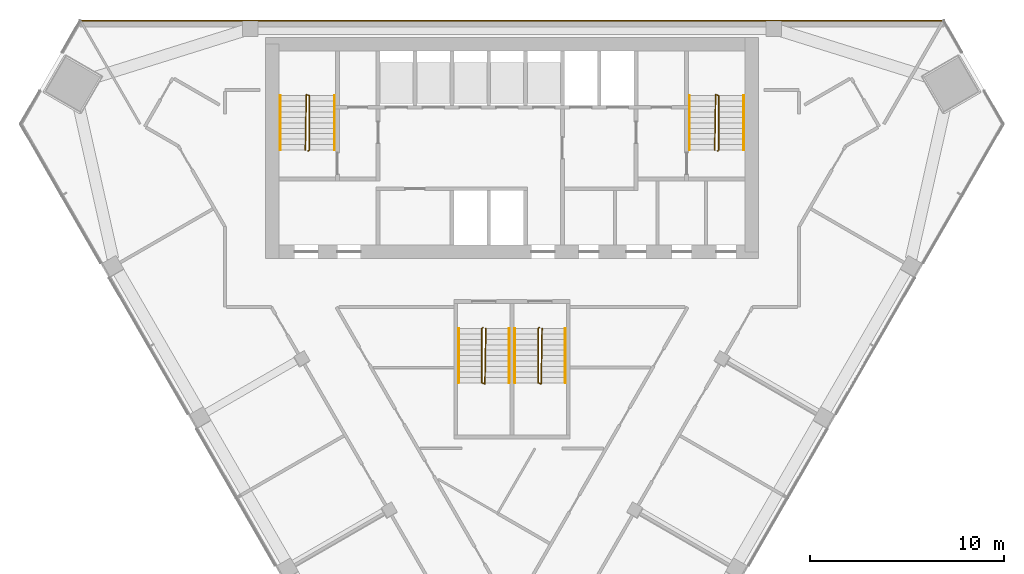
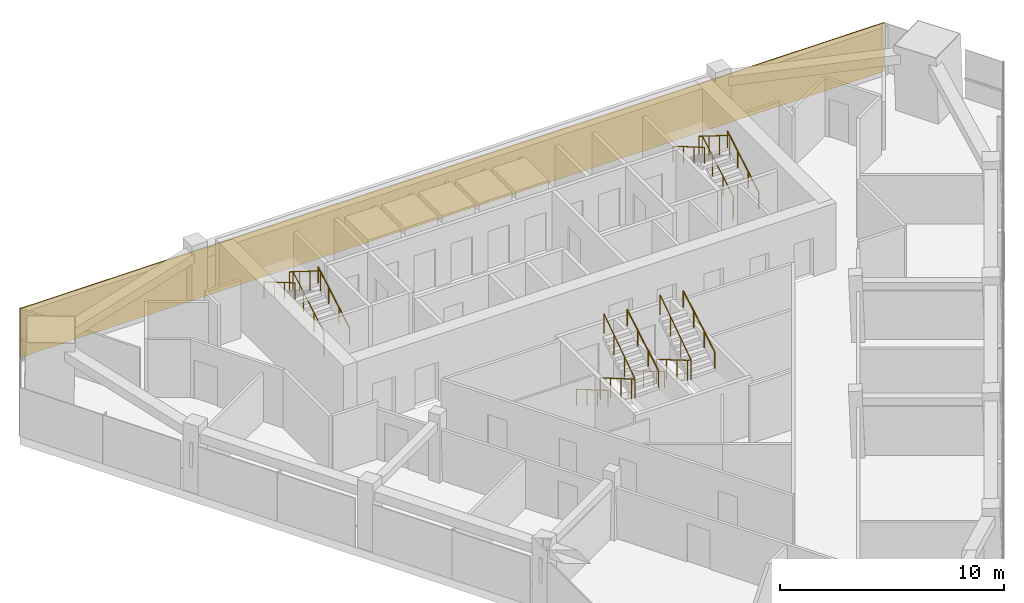
# One storey, part 11 of 12: 12 railings, 1 covering.
"""IFC4 building model written with IfcOpenShell, lengths in metres."""

import ifcopenshell
import ifcopenshell.guid

model = None  # the IFC model being written
_history = None  # IfcOwnerHistory: only IFC2X3 demands one
_inside = {}  # id of a spatial element -> (the spatial element, [elements in it])
_under = {}  # id of a project, library or spatial element -> (it, [spatial elements below it])
_declared = {}  # id of a project -> (the project, [libraries it declares])
_typed = {}  # id of a type object -> (the type object, [elements of that type])
_made_of = {}  # id of a material, layer set ... -> (it, [elements and type objects made of it])


def new_model(schema):
    """Start an empty IFC model of exactly this schema.

    Asked for "IFC4X3", IfcOpenShell would pick the latest addendum, in which some entities
    have other attributes; the version numbers below select the first issue.
    IFC2X3 requires an IfcOwnerHistory on every rooted entity: one is made here for all.
    """
    global model, _history
    if schema == "IFC4X3":
        model = ifcopenshell.file(schema_version=(4, 3, 0, 0))
    else:
        model = ifcopenshell.file(schema=schema)
    _inside.clear()
    _under.clear()
    _declared.clear()
    _typed.clear()
    _made_of.clear()
    _history = None
    if model.schema == "IFC2X3":
        org = make("IfcOrganization", Name="unknown")
        user = make(
            "IfcPersonAndOrganization",
            ThePerson=make("IfcPerson", FamilyName="unknown"),
            TheOrganization=org,
        )
        app = make(
            "IfcApplication",
            ApplicationDeveloper=org,
            Version="unknown",
            ApplicationFullName="unknown",
            ApplicationIdentifier="unknown",
        )
        _history = make(
            "IfcOwnerHistory",
            OwningUser=user,
            OwningApplication=app,
            ChangeAction="ADDED",
            CreationDate=0,
        )
    return model


def make(cls, **values):
    """One entity of the class cls with the attributes given. An attribute that is None is left unset."""
    return model.create_entity(
        cls, **{name: value for name, value in values.items() if value is not None}
    )


def rooted(cls, **values):
    """An entity with a GlobalId (a new one), such as an element, a storey or a relation."""
    return make(cls, GlobalId=ifcopenshell.guid.new(), OwnerHistory=_history, **values)


def si_unit(unit_type, name, prefix=None):
    """IfcSIUnit, for example si_unit("LENGTHUNIT", "METRE", prefix="MILLI")."""
    return make("IfcSIUnit", UnitType=unit_type, Prefix=prefix, Name=name)


def assignment(units):
    """IfcUnitAssignment: the units of a project."""
    return None if units is None else make("IfcUnitAssignment", Units=units)


def point(xyz):
    """IfcCartesianPoint."""
    return None if xyz is None else make("IfcCartesianPoint", Coordinates=xyz)


def direction(xyz):
    """IfcDirection."""
    return None if xyz is None else make("IfcDirection", DirectionRatios=xyz)


def frame(location, z_axis=None, x_axis=None):
    """IfcAxis2Placement3D, a coordinate frame: its origin and axes. An axis left out is left unset."""
    return make(
        "IfcAxis2Placement3D",
        Location=point(location),
        Axis=direction(z_axis),
        RefDirection=direction(x_axis),
    )


def frame_2d(location, x_axis=None):
    """IfcAxis2Placement2D, a coordinate frame in the plane: its origin and x axis."""
    return make(
        "IfcAxis2Placement2D", Location=point(location), RefDirection=direction(x_axis)
    )


def origin():
    """The frame at (0, 0, 0) with its axes left unset."""
    return frame((0.0, 0.0, 0.0))


def origin_2d():
    """The frame at (0, 0) in the plane with its x axis left unset."""
    return frame_2d((0.0, 0.0))


def place(relative_to, where):
    """IfcLocalPlacement: puts the frame where relative to a parent placement (None: the world)."""
    return make(
        "IfcLocalPlacement", PlacementRelTo=relative_to, RelativePlacement=where
    )


def context(
    kind, dimensions, precision=None, world=None, true_north=None, identifier=None
):
    """IfcGeometricRepresentationContext, for example the 3D "Model" context."""
    return make(
        "IfcGeometricRepresentationContext",
        ContextIdentifier=identifier,
        ContextType=kind,
        CoordinateSpaceDimension=dimensions,
        Precision=precision,
        WorldCoordinateSystem=world,
        TrueNorth=true_north,
    )


def subcontext(parent, identifier, kind, view, scale=None):
    """IfcGeometricRepresentationSubContext, for example "Body" below "Model"."""
    return make(
        "IfcGeometricRepresentationSubContext",
        ContextIdentifier=identifier,
        ContextType=kind,
        ParentContext=parent,
        TargetScale=scale,
        TargetView=view,
    )


def project(units=None, contexts=None):
    """IfcProject with its units and contexts."""
    return rooted(
        "IfcProject",
        Name="project",
        RepresentationContexts=contexts,
        UnitsInContext=assignment(units),
    )


def spatial(cls, under=None, at=None, **own):
    """A site, building, storey or space (cls), placed at a placement, below another one or the project."""
    s = rooted(cls, ObjectPlacement=at, **own)
    if under is not None:
        _under.setdefault(under.id(), (under, []))[1].append(s)
    return s


def profile(cls, at=None, kind="AREA", **sizes):
    """A parametric profile (cls). Its sizes go by their IFC names, for example OverallWidth=200.0."""
    return make(cls, ProfileType=kind, Position=at, **sizes)


def rectangle(**sizes):
    """IfcRectangleProfileDef."""
    return profile("IfcRectangleProfileDef", **sizes)


def circle(**sizes):
    """IfcCircleProfileDef."""
    return profile("IfcCircleProfileDef", **sizes)


def extrude(swept, where, along, depth):
    """IfcExtrudedAreaSolid: the profile swept, set in the frame where, extruded along a direction by depth."""
    return make(
        "IfcExtrudedAreaSolid",
        SweptArea=swept,
        Position=where,
        ExtrudedDirection=direction(along),
        Depth=depth,
    )


def shape(context_of_items, identifier, shape_type, items):
    """IfcShapeRepresentation: the items that make up one representation, for example the "Body"."""
    return make(
        "IfcShapeRepresentation",
        ContextOfItems=context_of_items,
        RepresentationIdentifier=identifier,
        RepresentationType=shape_type,
        Items=items,
    )


def material(Name=None, Category=None):
    """IfcMaterial."""
    return make("IfcMaterial", Name=Name, Category=Category)


def layer(
    of_material, thickness, ventilated=None, Name=None, Category=None, Priority=None
):
    """IfcMaterialLayer: one layer of a wall or slab, of a material (None: an air gap)."""
    return make(
        "IfcMaterialLayer",
        Material=of_material,
        LayerThickness=thickness,
        IsVentilated=ventilated,
        Name=Name,
        Category=Category,
        Priority=Priority,
    )


def layer_set(layers, Name=None):
    """IfcMaterialLayerSet."""
    return make("IfcMaterialLayerSet", MaterialLayers=layers, LayerSetName=Name)


def made_of(thing, what):
    """Note that an element or type object is made of a material, layer set ...; save() writes the relation."""
    if what is not None:
        _made_of.setdefault(what.id(), (what, []))[1].append(thing)
    return thing


def type_object(cls, material=None, **own):
    """A type object (cls), such as IfcWallType, which elements share."""
    return made_of(rooted(cls, **own), material)


def element(
    cls,
    number,
    at=None,
    inside=None,
    cuts=None,
    type_object=None,
    material=None,
    context=None,
    identifier="Body",
    shape_type=None,
    held_by="IfcProductDefinitionShape",
    body=None,
    shapes=None,
    **own,
):
    """One element of the class cls, such as IfcWall. Its Tag is "e" and its number.

    at: its placement. inside: the storey or other place that contains it. cuts: it is an
    opening in that element (IfcRelVoidsElement). A single representation is given by context,
    identifier, shape_type and body (its items); several are given by shapes. held_by: the class
    of the entity that holds the representations. save() writes the other relations.
    """
    e = rooted(cls, Tag="e%d" % number, ObjectPlacement=at, **own)
    if body is not None:
        shapes = [shape(context, identifier, shape_type, body)]
    if shapes is not None:
        e.Representation = make(held_by, Representations=shapes)
    if inside is not None:
        _inside.setdefault(inside.id(), (inside, []))[1].append(e)
    if cuts is not None:
        rooted(
            "IfcRelVoidsElement", RelatingBuildingElement=cuts, RelatedOpeningElement=e
        )
    if type_object is not None:
        _typed.setdefault(type_object.id(), (type_object, []))[1].append(e)
    return made_of(e, material)


def aggregate(whole, parts):
    """IfcRelAggregates: a whole, such as a stair, and the parts it consists of."""
    return rooted("IfcRelAggregates", RelatingObject=whole, RelatedObjects=parts)


def save(model, path):
    """Write the relations noted so far, then the file.

    IfcRelAggregates (storeys below a building ...), IfcRelContainedInSpatialStructure (elements
    in a storey), IfcRelDefinesByType, IfcRelAssociatesMaterial and IfcRelDeclares: one each for
    every whole, place, type object, material and project.
    """
    for whole, parts in _under.values():
        aggregate(whole, parts)
    for where, things in _inside.values():
        rooted(
            "IfcRelContainedInSpatialStructure",
            RelatedElements=things,
            RelatingStructure=where,
        )
    for kind, things in _typed.values():
        rooted("IfcRelDefinesByType", RelatedObjects=things, RelatingType=kind)
    for what, things in _made_of.values():
        rooted("IfcRelAssociatesMaterial", RelatedObjects=things, RelatingMaterial=what)
    for by, libraries in _declared.values():
        rooted("IfcRelDeclares", RelatingContext=by, RelatedDefinitions=libraries)
    model.write(path)


model = new_model("IFC4")

# Units and contexts
model_context = context("Model", 3, precision=1e-05, world=origin(), true_north=direction((0.0, 1.0)))
body_context = subcontext(model_context, "Body", "Model", "MODEL_VIEW")
ifc_project = project(units=[si_unit("LENGTHUNIT", "METRE"), si_unit("AREAUNIT", "SQUARE_METRE"), si_unit("VOLUMEUNIT", "CUBIC_METRE"), si_unit("PLANEANGLEUNIT", "RADIAN"), si_unit("MASSUNIT", "GRAM", prefix="KILO")], contexts=[model_context])

# Site, building, storey
site_placement = place(None, origin())
site = spatial("IfcSite", under=ifc_project, at=site_placement, CompositionType="ELEMENT")
building_placement = place(site_placement, origin())
building = spatial("IfcBuilding", under=site, at=building_placement, Name="Altiplano Prism Tower", CompositionType="ELEMENT")
storey_placement = place(building_placement, frame((0.0, 0.0, 205.199951171875)))
storey = spatial("IfcBuildingStorey", under=building, at=storey_placement, Name="L53", CompositionType="ELEMENT", Elevation=205.199951171875)

# Railings
ifc_material_1 = material(Name="Steel S355", Category="steel")
railing_type_1 = type_object("IfcRailingType", Name="Stair guard 1100", PredefinedType="GUARDRAIL", material=ifc_material_1)
railing_1_placement = place(storey_placement, frame((74.5, 98.25, 0.0)))
element("IfcRailing", 1, at=railing_1_placement, inside=storey, type_object=railing_type_1, Name="L53 ST1 stair guard 1", PredefinedType="GUARDRAIL", context=body_context, shape_type="SweptSolid", body=[
    extrude(circle(Radius=0.02392578125, at=origin_2d()), frame((0.0, 0.0, 1.076171875), z_axis=(0.280808744504, 0.280808744504, 0.917765164963), x_axis=(-0.707106781187, 0.707106781187, 0.0)), (0.0, 0.0, 1.0), 0.17822265625),
    extrude(circle(Radius=0.02392578125, at=origin_2d()), frame((0.050048828125, 0.050048828125, 1.23974609375), z_axis=(0.0, 0.863360870873, 0.504586966384), x_axis=(-1.0, 0.0, 0.0)), (0.0, 0.0, 1.0), 3.2431640625),
    extrude(circle(Radius=0.02392578125, at=origin_2d()), frame((0.050048828125, 2.85009765625, 2.8759765625), z_axis=(-0.949145278916, 0.314838433982, 0.0), x_axis=(-0.314838433982, -0.949145278916, 0.0)), (0.0, 0.0, 1.0), 0.158203125),
    extrude(circle(Radius=0.02392578125, at=origin_2d()), frame((-0.10009765625, 2.89990234375, 2.8759765625), z_axis=(-0.01477401265, -0.845377694409, 0.533964682676), x_axis=(0.999847325713, -0.01747355902, 0.0)), (0.0, 0.0, 1.0), 3.37109375),
    extrude(circle(Radius=0.02099609375, at=origin_2d()), origin(), (0.0, 0.0, 1.0), 1.052001953125),
    extrude(circle(Radius=0.02099609375, at=origin_2d()), frame((0.050048828125, 0.050048828125, 0.16357421875)), (0.0, 0.0, 1.0), 1.052001953125),
    extrude(circle(Radius=0.02099609375, at=origin_2d()), frame((0.050048828125, 0.9833984375, 0.708984375)), (0.0, 0.0, 1.0), 1.052001953125),
    extrude(circle(Radius=0.02099609375, at=origin_2d()), frame((0.050048828125, 1.916748046875, 1.254638671875)), (0.0, 0.0, 1.0), 1.052001953125),
    extrude(circle(Radius=0.02099609375, at=origin_2d()), frame((0.050048828125, 2.85009765625, 1.800048828125)), (0.0, 0.0, 1.0), 1.052001953125),
    extrude(circle(Radius=0.02099609375, at=origin_2d()), frame((-0.10009765625, 2.89990234375, 1.800048828125)), (0.0, 0.0, 1.0), 1.052001953125),
    extrude(circle(Radius=0.02099609375, at=origin_2d()), frame((-0.11669921875, 1.949951171875, 2.400146484375)), (0.0, 0.0, 1.0), 1.052001953125),
    extrude(circle(Radius=0.02099609375, at=origin_2d()), frame((-0.13330078125, 1.0, 3.0)), (0.0, 0.0, 1.0), 1.052001953125),
    extrude(circle(Radius=0.02099609375, at=origin_2d()), frame((-0.14990234375, 0.050048828125, 3.60009765625)), (0.0, 0.0, 1.0), 1.052001953125),
])
railing_2_placement = place(storey_placement, frame((95.60009765625, 98.25, 0.0)))
element("IfcRailing", 2, at=railing_2_placement, inside=storey, type_object=railing_type_1, Name="L53 ST2 stair guard 1", PredefinedType="GUARDRAIL", context=body_context, shape_type="SweptSolid", body=[
    extrude(circle(Radius=0.02392578125, at=origin_2d()), frame((0.0, 0.0, 1.076171875), z_axis=(0.279546231943, 0.280916556609, 0.91811752648), x_axis=(-0.708833529934, 0.705375805398, 0.0)), (0.0, 0.0, 1.0), 0.17822265625),
    extrude(circle(Radius=0.02392578125, at=origin_2d()), frame((0.0498046875, 0.050048828125, 1.23974609375), z_axis=(0.0, 0.863360870873, 0.504586966384), x_axis=(-1.0, 0.0, 0.0)), (0.0, 0.0, 1.0), 3.2431640625),
    extrude(circle(Radius=0.02392578125, at=origin_2d()), frame((0.0498046875, 2.85009765625, 2.8759765625), z_axis=(-0.948991962702, 0.315300261223, 0.0), x_axis=(-0.315300261223, -0.948991962702, 0.0)), (0.0, 0.0, 1.0), 0.157958984375),
    extrude(circle(Radius=0.02392578125, at=origin_2d()), frame((-0.10009765625, 2.89990234375, 2.8759765625), z_axis=(-0.014846418356, -0.845376787675, 0.533964109957), x_axis=(0.999845825584, -0.017559187376, 0.0)), (0.0, 0.0, 1.0), 3.37109375),
    extrude(circle(Radius=0.02099609375, at=origin_2d()), origin(), (0.0, 0.0, 1.0), 1.052001953125),
    extrude(circle(Radius=0.02099609375, at=origin_2d()), frame((0.0498046875, 0.050048828125, 0.16357421875)), (0.0, 0.0, 1.0), 1.052001953125),
    extrude(circle(Radius=0.02099609375, at=origin_2d()), frame((0.0498046875, 0.9833984375, 0.708984375)), (0.0, 0.0, 1.0), 1.052001953125),
    extrude(circle(Radius=0.02099609375, at=origin_2d()), frame((0.0498046875, 1.916748046875, 1.254638671875)), (0.0, 0.0, 1.0), 1.052001953125),
    extrude(circle(Radius=0.02099609375, at=origin_2d()), frame((0.0498046875, 2.85009765625, 1.800048828125)), (0.0, 0.0, 1.0), 1.052001953125),
    extrude(circle(Radius=0.02099609375, at=origin_2d()), frame((-0.10009765625, 2.89990234375, 1.800048828125)), (0.0, 0.0, 1.0), 1.052001953125),
    extrude(circle(Radius=0.02099609375, at=origin_2d()), frame((-0.11669921875, 1.949951171875, 2.400146484375)), (0.0, 0.0, 1.0), 1.052001953125),
    extrude(circle(Radius=0.02099609375, at=origin_2d()), frame((-0.133544921875, 1.0, 3.0)), (0.0, 0.0, 1.0), 1.052001953125),
    extrude(circle(Radius=0.02099609375, at=origin_2d()), frame((-0.150146484375, 0.050048828125, 3.60009765625)), (0.0, 0.0, 1.0), 1.052001953125),
])
railing_3_placement = place(storey_placement, frame((83.5, 89.14990234375, 0.0)))
element("IfcRailing", 3, at=railing_3_placement, inside=storey, type_object=railing_type_1, Name="L53 ST3A stair guard 1", PredefinedType="GUARDRAIL", context=body_context, shape_type="SweptSolid", body=[
    extrude(circle(Radius=0.02392578125, at=origin_2d()), frame((0.0, 0.0, 1.076171875), z_axis=(-0.280916556609, -0.279546231943, 0.91811752648), x_axis=(0.705375805398, -0.708833529934, 0.0)), (0.0, 0.0, 1.0), 0.17822265625),
    extrude(circle(Radius=0.02392578125, at=origin_2d()), frame((-0.050048828125, -0.0498046875, 1.23974609375), z_axis=(0.0, -0.863360870873, 0.504586966384), x_axis=(1.0, 0.0, 0.0)), (0.0, 0.0, 1.0), 3.2431640625),
    extrude(circle(Radius=0.02392578125, at=origin_2d()), frame((-0.050048828125, -2.849853515625, 2.8759765625), z_axis=(0.948683298051, -0.316227766017, 0.0), x_axis=(0.316227766017, 0.948683298051, 0.0)), (0.0, 0.0, 1.0), 0.158203125),
    extrude(circle(Radius=0.02392578125, at=origin_2d()), frame((0.10009765625, -2.89990234375, 2.8759765625), z_axis=(0.014773108175, 0.84539835705, 0.533931993021), x_axis=(-0.999847351862, 0.017472062685, 0.0)), (0.0, 0.0, 1.0), 3.371337890625),
    extrude(circle(Radius=0.02099609375, at=origin_2d()), origin(), (0.0, 0.0, 1.0), 1.052001953125),
    extrude(circle(Radius=0.02099609375, at=origin_2d()), frame((-0.050048828125, -0.0498046875, 0.16357421875)), (0.0, 0.0, 1.0), 1.052001953125),
    extrude(circle(Radius=0.02099609375, at=origin_2d()), frame((-0.050048828125, -0.983154296875, 0.708984375)), (0.0, 0.0, 1.0), 1.052001953125),
    extrude(circle(Radius=0.02099609375, at=origin_2d()), frame((-0.050048828125, -1.91650390625, 1.254638671875)), (0.0, 0.0, 1.0), 1.052001953125),
    extrude(circle(Radius=0.02099609375, at=origin_2d()), frame((-0.050048828125, -2.849853515625, 1.800048828125)), (0.0, 0.0, 1.0), 1.052001953125),
    extrude(circle(Radius=0.02099609375, at=origin_2d()), frame((0.10009765625, -2.89990234375, 1.800048828125)), (0.0, 0.0, 1.0), 1.052001953125),
    extrude(circle(Radius=0.02099609375, at=origin_2d()), frame((0.11669921875, -1.949951171875, 2.400146484375)), (0.0, 0.0, 1.0), 1.052001953125),
    extrude(circle(Radius=0.02099609375, at=origin_2d()), frame((0.13330078125, -0.999755859375, 3.0)), (0.0, 0.0, 1.0), 1.052001953125),
    extrude(circle(Radius=0.02099609375, at=origin_2d()), frame((0.14990234375, -0.0498046875, 3.60009765625)), (0.0, 0.0, 1.0), 1.052001953125),
])
railing_4_placement = place(storey_placement, frame((86.39990234375, 89.14990234375, 0.0)))
element("IfcRailing", 4, at=railing_4_placement, inside=storey, type_object=railing_type_1, Name="L53 ST3B stair guard 1", PredefinedType="GUARDRAIL", context=body_context, shape_type="SweptSolid", body=[
    extrude(circle(Radius=0.02392578125, at=origin_2d()), frame((0.0, 0.0, 1.076171875), z_axis=(-0.279653641804, -0.279653641804, 0.918470294159), x_axis=(0.707106781187, -0.707106781187, 0.0)), (0.0, 0.0, 1.0), 0.177978515625),
    extrude(circle(Radius=0.02392578125, at=origin_2d()), frame((-0.0498046875, -0.0498046875, 1.23974609375), z_axis=(0.0, -0.863360870873, 0.504586966384), x_axis=(1.0, 0.0, 0.0)), (0.0, 0.0, 1.0), 3.2431640625),
    extrude(circle(Radius=0.02392578125, at=origin_2d()), frame((-0.0498046875, -2.849853515625, 2.8759765625), z_axis=(0.948528701346, -0.316691178788, 0.0), x_axis=(0.316691178788, 0.948528701346, 0.0)), (0.0, 0.0, 1.0), 0.157958984375),
    extrude(circle(Radius=0.02392578125, at=origin_2d()), frame((0.10009765625, -2.89990234375, 2.8759765625), z_axis=(0.014845509451, 0.845397450405, 0.533931420407), x_axis=(-0.999845851991, 0.017557683712, 0.0)), (0.0, 0.0, 1.0), 3.371337890625),
    extrude(circle(Radius=0.02099609375, at=origin_2d()), origin(), (0.0, 0.0, 1.0), 1.052001953125),
    extrude(circle(Radius=0.02099609375, at=origin_2d()), frame((-0.0498046875, -0.0498046875, 0.16357421875)), (0.0, 0.0, 1.0), 1.052001953125),
    extrude(circle(Radius=0.02099609375, at=origin_2d()), frame((-0.0498046875, -0.983154296875, 0.708984375)), (0.0, 0.0, 1.0), 1.052001953125),
    extrude(circle(Radius=0.02099609375, at=origin_2d()), frame((-0.0498046875, -1.91650390625, 1.254638671875)), (0.0, 0.0, 1.0), 1.052001953125),
    extrude(circle(Radius=0.02099609375, at=origin_2d()), frame((-0.0498046875, -2.849853515625, 1.800048828125)), (0.0, 0.0, 1.0), 1.052001953125),
    extrude(circle(Radius=0.02099609375, at=origin_2d()), frame((0.10009765625, -2.89990234375, 1.800048828125)), (0.0, 0.0, 1.0), 1.052001953125),
    extrude(circle(Radius=0.02099609375, at=origin_2d()), frame((0.11669921875, -1.949951171875, 2.400146484375)), (0.0, 0.0, 1.0), 1.052001953125),
    extrude(circle(Radius=0.02099609375, at=origin_2d()), frame((0.133544921875, -0.999755859375, 3.0)), (0.0, 0.0, 1.0), 1.052001953125),
    extrude(circle(Radius=0.02099609375, at=origin_2d()), frame((0.150146484375, -0.0498046875, 3.60009765625)), (0.0, 0.0, 1.0), 1.052001953125),
])
railing_type_2 = type_object("IfcRailingType", Name="Stair handrail 900", PredefinedType="HANDRAIL", material=ifc_material_1)
railing_5_placement = place(storey_placement, frame((75.85009765625, 98.300048828125, 0.16357421875)))
element("IfcRailing", 5, at=railing_5_placement, inside=storey, type_object=railing_type_2, Name="L53 ST1 stair handrail 1", PredefinedType="HANDRAIL", context=body_context, shape_type="SweptSolid", body=[
    extrude(circle(Radius=0.02392578125, at=origin_2d()), frame((0.0, 0.0, 0.8759765625), z_axis=(0.0, 0.863360870873, 0.504586966384), x_axis=(-1.0, 0.0, 0.0)), (0.0, 0.0, 1.0), 3.2431640625),
    extrude(circle(Radius=0.02099609375, at=origin_2d()), origin(), (0.0, 0.0, 1.0), 0.851806640625),
    extrude(circle(Radius=0.02099609375, at=origin_2d()), frame((0.0, 0.933349609375, 0.54541015625)), (0.0, 0.0, 1.0), 0.851806640625),
    extrude(circle(Radius=0.02099609375, at=origin_2d()), frame((0.0, 1.86669921875, 1.091064453125)), (0.0, 0.0, 1.0), 0.851806640625),
    extrude(circle(Radius=0.02099609375, at=origin_2d()), frame((0.0, 2.800048828125, 1.636474609375)), (0.0, 0.0, 1.0), 0.851806640625),
])
railing_6_placement = place(storey_placement, frame((73.050048828125, 101.10009765625, 1.963623046875)))
element("IfcRailing", 6, at=railing_6_placement, inside=storey, type_object=railing_type_2, Name="L53 ST1 stair handrail 2", PredefinedType="HANDRAIL", context=body_context, shape_type="SweptSolid", body=[
    extrude(circle(Radius=0.02392578125, at=origin_2d()), frame((0.0, 0.0, 0.8759765625), z_axis=(0.0, -0.863360870873, 0.504586966384), x_axis=(1.0, 0.0, 0.0)), (0.0, 0.0, 1.0), 3.2431640625),
    extrude(circle(Radius=0.02099609375, at=origin_2d()), origin(), (0.0, 0.0, 1.0), 0.851806640625),
    extrude(circle(Radius=0.02099609375, at=origin_2d()), frame((0.0, -0.933349609375, 0.54541015625)), (0.0, 0.0, 1.0), 0.851806640625),
    extrude(circle(Radius=0.02099609375, at=origin_2d()), frame((0.0, -1.86669921875, 1.091064453125)), (0.0, 0.0, 1.0), 0.851806640625),
    extrude(circle(Radius=0.02099609375, at=origin_2d()), frame((0.0, -2.800048828125, 1.636474609375)), (0.0, 0.0, 1.0), 0.851806640625),
])
railing_7_placement = place(storey_placement, frame((96.949951171875, 98.300048828125, 0.16357421875)))
element("IfcRailing", 7, at=railing_7_placement, inside=storey, type_object=railing_type_2, Name="L53 ST2 stair handrail 1", PredefinedType="HANDRAIL", context=body_context, shape_type="SweptSolid", body=[
    extrude(circle(Radius=0.02392578125, at=origin_2d()), frame((0.0, 0.0, 0.8759765625), z_axis=(0.0, 0.863360870873, 0.504586966384), x_axis=(-1.0, 0.0, 0.0)), (0.0, 0.0, 1.0), 3.2431640625),
    extrude(circle(Radius=0.02099609375, at=origin_2d()), origin(), (0.0, 0.0, 1.0), 0.851806640625),
    extrude(circle(Radius=0.02099609375, at=origin_2d()), frame((0.0, 0.933349609375, 0.54541015625)), (0.0, 0.0, 1.0), 0.851806640625),
    extrude(circle(Radius=0.02099609375, at=origin_2d()), frame((0.0, 1.86669921875, 1.091064453125)), (0.0, 0.0, 1.0), 0.851806640625),
    extrude(circle(Radius=0.02099609375, at=origin_2d()), frame((0.0, 2.800048828125, 1.636474609375)), (0.0, 0.0, 1.0), 0.851806640625),
])
for number, where, name in (
    (8, (94.14990234375, 101.10009765625, 1.963623046875), "L53 ST2 stair handrail 2"),
    (9, (82.25, 89.10009765625, 0.16357421875), "L53 ST3A stair handrail 1"),
):
    element("IfcRailing", number, at=place(storey_placement, frame(where)), inside=storey, type_object=railing_type_2, Name=name, PredefinedType="HANDRAIL", context=body_context, shape_type="SweptSolid", body=[
        extrude(circle(Radius=0.02392578125, at=origin_2d()), frame((0.0, 0.0, 0.8759765625), z_axis=(0.0, -0.863360870873, 0.504586966384), x_axis=(1.0, 0.0, 0.0)), (0.0, 0.0, 1.0), 3.2431640625),
        extrude(circle(Radius=0.02099609375, at=origin_2d()), origin(), (0.0, 0.0, 1.0), 0.851806640625),
        extrude(circle(Radius=0.02099609375, at=origin_2d()), frame((0.0, -0.933349609375, 0.54541015625)), (0.0, 0.0, 1.0), 0.851806640625),
        extrude(circle(Radius=0.02099609375, at=origin_2d()), frame((0.0, -1.86669921875, 1.091064453125)), (0.0, 0.0, 1.0), 0.851806640625),
        extrude(circle(Radius=0.02099609375, at=origin_2d()), frame((0.0, -2.800048828125, 1.636474609375)), (0.0, 0.0, 1.0), 0.851806640625),
    ])
railing_8_placement = place(storey_placement, frame((84.85009765625, 86.300048828125, 1.963623046875)))
element("IfcRailing", 10, at=railing_8_placement, inside=storey, type_object=railing_type_2, Name="L53 ST3A stair handrail 2", PredefinedType="HANDRAIL", context=body_context, shape_type="SweptSolid", body=[
    extrude(circle(Radius=0.02392578125, at=origin_2d()), frame((0.0, 0.0, 0.8759765625), z_axis=(0.0, 0.863360870873, 0.504586966384), x_axis=(-1.0, 0.0, 0.0)), (0.0, 0.0, 1.0), 3.2431640625),
    extrude(circle(Radius=0.02099609375, at=origin_2d()), origin(), (0.0, 0.0, 1.0), 0.851806640625),
    extrude(circle(Radius=0.02099609375, at=origin_2d()), frame((0.0, 0.933349609375, 0.54541015625)), (0.0, 0.0, 1.0), 0.851806640625),
    extrude(circle(Radius=0.02099609375, at=origin_2d()), frame((0.0, 1.86669921875, 1.091064453125)), (0.0, 0.0, 1.0), 0.851806640625),
    extrude(circle(Radius=0.02099609375, at=origin_2d()), frame((0.0, 2.800048828125, 1.636474609375)), (0.0, 0.0, 1.0), 0.851806640625),
])
railing_9_placement = place(storey_placement, frame((85.14990234375, 89.10009765625, 0.16357421875)))
element("IfcRailing", 11, at=railing_9_placement, inside=storey, type_object=railing_type_2, Name="L53 ST3B stair handrail 1", PredefinedType="HANDRAIL", context=body_context, shape_type="SweptSolid", body=[
    extrude(circle(Radius=0.02392578125, at=origin_2d()), frame((0.0, 0.0, 0.8759765625), z_axis=(0.0, -0.863360870873, 0.504586966384), x_axis=(1.0, 0.0, 0.0)), (0.0, 0.0, 1.0), 3.2431640625),
    extrude(circle(Radius=0.02099609375, at=origin_2d()), origin(), (0.0, 0.0, 1.0), 0.851806640625),
    extrude(circle(Radius=0.02099609375, at=origin_2d()), frame((0.0, -0.933349609375, 0.54541015625)), (0.0, 0.0, 1.0), 0.851806640625),
    extrude(circle(Radius=0.02099609375, at=origin_2d()), frame((0.0, -1.86669921875, 1.091064453125)), (0.0, 0.0, 1.0), 0.851806640625),
    extrude(circle(Radius=0.02099609375, at=origin_2d()), frame((0.0, -2.800048828125, 1.636474609375)), (0.0, 0.0, 1.0), 0.851806640625),
])
railing_10_placement = place(storey_placement, frame((87.75, 86.300048828125, 1.963623046875)))
element("IfcRailing", 12, at=railing_10_placement, inside=storey, type_object=railing_type_2, Name="L53 ST3B stair handrail 2", PredefinedType="HANDRAIL", context=body_context, shape_type="SweptSolid", body=[
    extrude(circle(Radius=0.02392578125, at=origin_2d()), frame((0.0, 0.0, 0.8759765625), z_axis=(0.0, 0.863360870873, 0.504586966384), x_axis=(-1.0, 0.0, 0.0)), (0.0, 0.0, 1.0), 3.2431640625),
    extrude(circle(Radius=0.02099609375, at=origin_2d()), origin(), (0.0, 0.0, 1.0), 0.851806640625),
    extrude(circle(Radius=0.02099609375, at=origin_2d()), frame((0.0, 0.933349609375, 0.54541015625)), (0.0, 0.0, 1.0), 0.851806640625),
    extrude(circle(Radius=0.02099609375, at=origin_2d()), frame((0.0, 1.86669921875, 1.091064453125)), (0.0, 0.0, 1.0), 0.851806640625),
    extrude(circle(Radius=0.02099609375, at=origin_2d()), frame((0.0, 2.800048828125, 1.636474609375)), (0.0, 0.0, 1.0), 0.851806640625),
])

# Covering
ifc_material_2 = material(Name="Warm limestone cast stone", Category="masonry")
ifc_layer = layer(ifc_material_2, 0.06005859375)
ifc_layer_set = layer_set([ifc_layer], Name="Warm limestone cast stone")
covering_type = type_object("IfcCoveringType", Name="Stone cladding 60", PredefinedType="CLADDING", material=ifc_layer_set)
covering_placement = place(storey_placement, frame((62.73583984375, 104.969970703125, 0.0), z_axis=(0.0, 0.0, 1.0), x_axis=(1.0, 0.0, 0.0)))
element("IfcCovering", 13, at=covering_placement, inside=storey, type_object=covering_type, Name="Stone cladding north face L53", PredefinedType="CLADDING", context=body_context, shape_type="SweptSolid", body=[
    extrude(rectangle(XDim=44.5283203125, YDim=0.06005859375, at=frame_2d((22.26416015625, 0.0))), origin(), (0.0, 0.0, 1.0), 2.650146484375),
])

save(model, "model.ifc")
